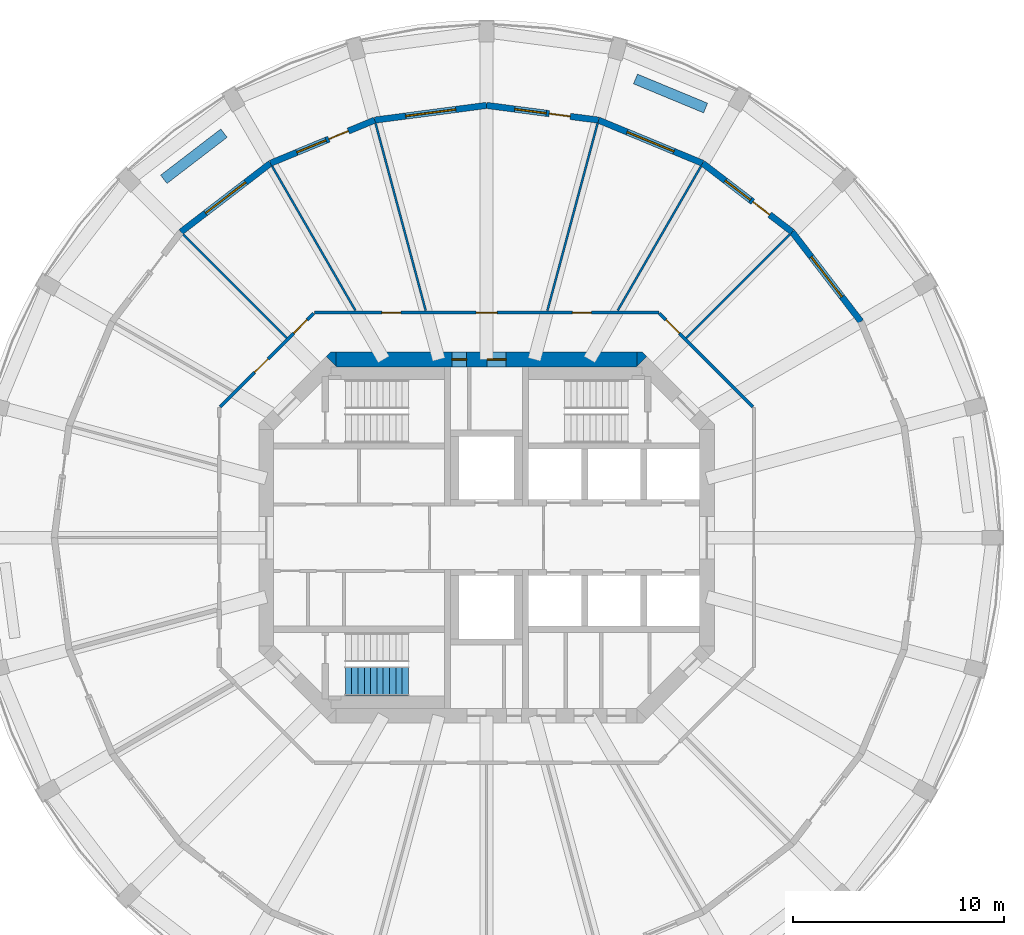
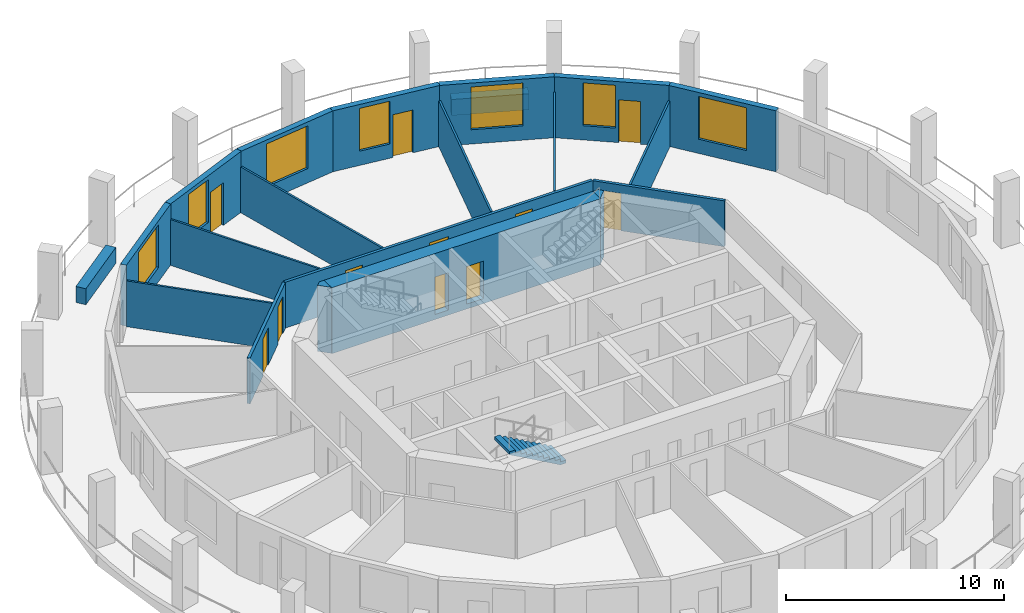
# One storey, part 6 of 9: 21 walls, 11 doors, 7 windows, 1 stair flight, 18 openings, 1 element without a shape of its own.
"""IFC4 building model written with IfcOpenShell, lengths in metres."""

from ifc_helpers import new_model, si_unit, direction, frame, frame_2d, origin, place, context, subcontext, project, spatial, polyline, rectangle, outline, extrude, material, layer, layer_set, type_object, element, fill, aggregate, save


model = new_model("IFC4")

# Units and contexts
model_context = context("Model", 3, precision=1e-05, world=origin(), true_north=direction((0.0, 1.0)))
body_context = subcontext(model_context, "Body", "Model", "MODEL_VIEW")
ifc_project = project(units=[si_unit("LENGTHUNIT", "METRE"), si_unit("AREAUNIT", "SQUARE_METRE"), si_unit("VOLUMEUNIT", "CUBIC_METRE"), si_unit("PLANEANGLEUNIT", "RADIAN"), si_unit("MASSUNIT", "GRAM", prefix="KILO")], contexts=[model_context])

# Site, building, storey
site_placement = place(None, origin())
site = spatial("IfcSite", under=ifc_project, at=site_placement, CompositionType="ELEMENT")
building_placement = place(site_placement, origin())
building = spatial("IfcBuilding", under=site, at=building_placement, Name="Torre Triforio", CompositionType="ELEMENT")
storey_placement = place(building_placement, frame((0.0, 0.0, 240.89990234375)))
storey = spatial("IfcBuildingStorey", under=building, at=storey_placement, Name="L55", CompositionType="ELEMENT", Elevation=240.89990234375)

# Wall, openings, doors
ifc_material_1 = material(Name="Concrete C50", Category="concrete")
ifc_layer_1 = layer(ifc_material_1, 0.699951171875)
ifc_layer_set_1 = layer_set([ifc_layer_1], Name="Concrete C50")
wall_type_1 = type_object("IfcWallType", Name="Core wall 700 mm C50 EI 120", PredefinedType="SHEAR", material=ifc_layer_set_1)
wall_1_placement = place(storey_placement, frame((-7.1298828125, 8.449951171875, -0.27978515625), z_axis=(0.0, 0.0, 1.0), x_axis=(1.0, 0.0, 0.0)))
wall_1 = element("IfcWall", 1, at=wall_1_placement, inside=storey, type_object=wall_type_1, Name="Core wall", PredefinedType="SHEAR", context=body_context, shape_type="SweptSolid", body=[
    extrude(rectangle(XDim=14.259765625, YDim=0.699951171875, at=frame_2d((7.1298828125, 0.0))), origin(), (0.0, 0.0, 1.0), 3.699951171875),
])
opening_1_placement = place(wall_1_placement, frame((5.47998046875, 0.0, 0.280029296875)))
opening_1 = element("IfcOpeningElement", 2, at=opening_1_placement, cuts=wall_1, Name="Opening RISER-N", PredefinedType="OPENING", context=body_context, shape_type="SweptSolid", body=[
    extrude(rectangle(XDim=0.699951171875, YDim=2.10009765625, at=frame_2d((0.35009765625, 1.050048828125))), frame((0.0, 0.35986328125, 0.0), z_axis=(0.0, -1.0, 0.0), x_axis=(1.0, 0.0, 0.0)), (0.0, 0.0, 1.0), 0.719970703125),
])
opening_2_placement = place(wall_1_placement, frame((7.155029296875, 0.0, 0.280029296875)))
opening_2 = element("IfcOpeningElement", 3, at=opening_2_placement, cuts=wall_1, Name="Opening NE-01", PredefinedType="OPENING", context=body_context, shape_type="SweptSolid", body=[
    extrude(rectangle(XDim=0.89990234375, YDim=2.10009765625, at=frame_2d((0.449951171875, 1.050048828125))), frame((0.0, 0.35986328125, 0.0), z_axis=(0.0, -1.0, 0.0), x_axis=(1.0, 0.0, 0.0)), (0.0, 0.0, 1.0), 0.719970703125),
])
ifc_material_2 = material(Name="Hollow metal fire door leaf")
door_type_1 = type_object("IfcDoorType", Name="Riser door 700 x 2100 EI 60", OperationType="NOTDEFINED", PredefinedType="DOOR", material=ifc_material_2)
door_1_placement = place(opening_1_placement, origin())
door_1 = element("IfcDoor", 4, at=door_1_placement, inside=storey, type_object=door_type_1, Name="Core door RISER-N", OperationType="SINGLE_SWING_LEFT", OverallHeight=2.10009765625, OverallWidth=0.699951171875, PredefinedType="DOOR", context=body_context, shape_type="SweptSolid", body=[
    extrude(rectangle(XDim=0.699951171875, YDim=2.10009765625, at=frame_2d((0.35009765625, 1.050048828125))), frame((0.0, 0.02490234375, 0.0), z_axis=(0.0, -1.0, 0.0), x_axis=(1.0, 0.0, 0.0)), (0.0, 0.0, 1.0), 0.050048828125),
])
fill(opening_1, door_1)
door_type_2 = type_object("IfcDoorType", Name="Room door 900 x 2100 EI 60", OperationType="NOTDEFINED", PredefinedType="DOOR", material=ifc_material_2)
door_2_placement = place(opening_2_placement, origin())
door_2 = element("IfcDoor", 5, at=door_2_placement, inside=storey, type_object=door_type_2, Name="Core door NE-01", OperationType="SINGLE_SWING_RIGHT", OverallHeight=2.10009765625, OverallWidth=0.89990234375, PredefinedType="DOOR", context=body_context, shape_type="SweptSolid", body=[
    extrude(rectangle(XDim=0.89990234375, YDim=2.10009765625, at=frame_2d((0.449951171875, 1.050048828125))), frame((0.0, 0.02490234375, 0.0), z_axis=(0.0, -1.0, 0.0), x_axis=(1.0, 0.0, 0.0)), (0.0, 0.0, 1.0), 0.050048828125),
])
fill(opening_2, door_2)

# Walls
wall_2_placement = place(storey_placement, frame((0.0, 0.0, -0.27978515625)))
element("IfcWall", 6, at=wall_2_placement, inside=storey, type_object=wall_type_1, Name="Core wall", PredefinedType="SHEAR", context=body_context, shape_type="SweptSolid", body=[
    extrude(outline(polyline([(-7.389892578125, 8.800048828125), (-7.1298828125, 8.800048828125), (-7.1298828125, 8.800048828125), (-7.1298828125, 8.1298828125), (-7.594970703125, 8.594970703125), (-7.594970703125, 8.594970703125), (-7.594970703125, 8.594970703125), (-7.389892578125, 8.800048828125)])), origin(), (0.0, 0.0, 1.0), 3.699951171875),
])
wall_3_placement = place(storey_placement, frame((0.0, 0.0, -0.27978515625)))
element("IfcWall", 7, at=wall_3_placement, inside=storey, type_object=wall_type_1, Name="Core wall", PredefinedType="SHEAR", context=body_context, shape_type="SweptSolid", body=[
    extrude(outline(polyline([(7.389892578125, 8.800048828125), (7.594970703125, 8.594970703125), (7.594970703125, 8.594970703125), (7.594970703125, 8.594970703125), (7.1298828125, 8.1298828125), (7.1298828125, 8.800048828125), (7.1298828125, 8.800048828125), (7.389892578125, 8.800048828125)])), origin(), (0.0, 0.0, 1.0), 3.699951171875),
])

# Wall, openings, doors
ifc_material_3 = material(Name="Plasterboard on metal studs")
ifc_layer_2 = layer(ifc_material_3, 0.14990234375)
ifc_layer_set_2 = layer_set([ifc_layer_2], Name="Plasterboard on metal studs")
wall_type_2 = type_object("IfcWallType", Name="Corridor and tenancy wall 150 mm EI 60", PredefinedType="PARTITIONING", material=ifc_layer_set_2)
wall_4_placement = place(storey_placement, frame((-12.637939453125, 6.20361328125, 0.0), z_axis=(0.0, 0.0, 1.0), x_axis=(0.707106781187, 0.707106781187, 0.0)))
wall_4 = element("IfcWall", 8, at=wall_4_placement, inside=storey, type_object=wall_type_2, Name="Partition 7", PredefinedType="PARTITIONING", context=body_context, shape_type="SweptSolid", body=[
    extrude(rectangle(XDim=6.27099609375, YDim=0.14990234375, at=frame_2d((3.135498046875, 0.0))), origin(), (0.0, 0.0, 1.0), 2.570068359375),
])
opening_3_placement = place(wall_4_placement, frame((4.935302734375, 0.0, 0.0)))
opening_3 = element("IfcOpeningElement", 9, at=opening_3_placement, cuts=wall_4, Name="Opening O8-11", PredefinedType="OPENING", context=body_context, shape_type="SweptSolid", body=[
    extrude(rectangle(XDim=0.89990234375, YDim=2.10009765625, at=frame_2d((0.449951171875, 1.050048828125))), frame((0.0, 0.0849609375, 0.0), z_axis=(0.0, -1.0, 0.0), x_axis=(1.0, 0.0, 0.0)), (0.0, 0.0, 1.0), 0.169921875),
])
opening_4_placement = place(wall_4_placement, frame((2.313720703125, 0.0, 0.0)))
opening_4 = element("IfcOpeningElement", 10, at=opening_4_placement, cuts=wall_4, Name="Opening O8-12", PredefinedType="OPENING", context=body_context, shape_type="SweptSolid", body=[
    extrude(rectangle(XDim=0.89990234375, YDim=2.10009765625, at=frame_2d((0.449951171875, 1.050048828125))), frame((0.0, 0.0849609375, 0.0), z_axis=(0.0, -1.0, 0.0), x_axis=(1.0, 0.0, 0.0)), (0.0, 0.0, 1.0), 0.169921875),
])
ifc_material_4 = material(Name="Timber", Category="wood")
door_type_3 = type_object("IfcDoorType", Name="Door 900 x 2100 single leaf EI 30", OperationType="NOTDEFINED", PredefinedType="DOOR", material=ifc_material_4)
door_3_placement = place(opening_3_placement, origin())
door_3 = element("IfcDoor", 11, at=door_3_placement, inside=storey, type_object=door_type_3, Name="Door O8-11", OperationType="SINGLE_SWING_LEFT", OverallHeight=2.10009765625, OverallWidth=0.89990234375, PredefinedType="DOOR", context=body_context, shape_type="SweptSolid", body=[
    extrude(rectangle(XDim=0.89990234375, YDim=2.10009765625, at=frame_2d((0.449951171875, 1.050048828125))), frame((0.0, 0.02490234375, 0.0), z_axis=(0.0, -1.0, 0.0), x_axis=(1.0, 0.0, 0.0)), (0.0, 0.0, 1.0), 0.050048828125),
])
fill(opening_3, door_3)
door_4_placement = place(opening_4_placement, origin())
door_4 = element("IfcDoor", 12, at=door_4_placement, inside=storey, type_object=door_type_3, Name="Door O8-12", OperationType="SINGLE_SWING_LEFT", OverallHeight=2.10009765625, OverallWidth=0.89990234375, PredefinedType="DOOR", context=body_context, shape_type="SweptSolid", body=[
    extrude(rectangle(XDim=0.89990234375, YDim=2.10009765625, at=frame_2d((0.449951171875, 1.050048828125))), frame((0.0, 0.02490234375, 0.0), z_axis=(0.0, -1.0, 0.0), x_axis=(1.0, 0.0, 0.0)), (0.0, 0.0, 1.0), 0.050048828125),
])
fill(opening_4, door_4)

wall_5_placement = place(storey_placement, frame((-8.16650390625, 10.675048828125, 0.0), z_axis=(0.0, 0.0, 1.0), x_axis=(1.0, 0.0, 0.0)))
wall_5 = element("IfcWall", 13, at=wall_5_placement, inside=storey, type_object=wall_type_2, Name="Partition 8", PredefinedType="PARTITIONING", context=body_context, shape_type="SweptSolid", body=[
    extrude(rectangle(XDim=16.3330078125, YDim=0.14990234375, at=frame_2d((8.16650390625, 0.0))), origin(), (0.0, 0.0, 1.0), 2.570068359375),
])
opening_5_placement = place(wall_5_placement, frame((12.232421875, 0.0, 0.0)))
opening_5 = element("IfcOpeningElement", 14, at=opening_5_placement, cuts=wall_5, Name="Opening O8-08", PredefinedType="OPENING", context=body_context, shape_type="SweptSolid", body=[
    extrude(rectangle(XDim=0.89990234375, YDim=2.10009765625, at=frame_2d((0.449951171875, 1.050048828125))), frame((0.0, 0.0849609375, 0.0), z_axis=(0.0, -1.0, 0.0), x_axis=(1.0, 0.0, 0.0)), (0.0, 0.0, 1.0), 0.169921875),
])
opening_6_placement = place(wall_5_placement, frame((7.66650390625, 0.0, 0.0)))
opening_6 = element("IfcOpeningElement", 15, at=opening_6_placement, cuts=wall_5, Name="Opening O8-09", PredefinedType="OPENING", context=body_context, shape_type="SweptSolid", body=[
    extrude(rectangle(XDim=1.0, YDim=2.10009765625, at=frame_2d((0.5, 1.050048828125))), frame((0.0, 0.0849609375, 0.0), z_axis=(0.0, -1.0, 0.0), x_axis=(1.0, 0.0, 0.0)), (0.0, 0.0, 1.0), 0.169921875),
])
opening_7_placement = place(wall_5_placement, frame((3.200927734375, 0.0, 0.0)))
opening_7 = element("IfcOpeningElement", 16, at=opening_7_placement, cuts=wall_5, Name="Opening O8-10", PredefinedType="OPENING", context=body_context, shape_type="SweptSolid", body=[
    extrude(rectangle(XDim=0.89990234375, YDim=2.10009765625, at=frame_2d((0.449951171875, 1.050048828125))), frame((0.0, 0.0849609375, 0.0), z_axis=(0.0, -1.0, 0.0), x_axis=(1.0, 0.0, 0.0)), (0.0, 0.0, 1.0), 0.169921875),
])
door_type_4 = type_object("IfcDoorType", Name="Door 1000 x 2100 single leaf EI 30", OperationType="NOTDEFINED", PredefinedType="DOOR", material=ifc_material_4)
door_5_placement = place(opening_6_placement, origin())
door_5 = element("IfcDoor", 17, at=door_5_placement, inside=storey, type_object=door_type_4, Name="Door O8-09", OperationType="SINGLE_SWING_RIGHT", OverallHeight=2.10009765625, OverallWidth=1.0, PredefinedType="DOOR", context=body_context, shape_type="SweptSolid", body=[
    extrude(rectangle(XDim=1.0, YDim=2.10009765625, at=frame_2d((0.5, 1.050048828125))), frame((0.0, 0.02490234375, 0.0), z_axis=(0.0, -1.0, 0.0), x_axis=(1.0, 0.0, 0.0)), (0.0, 0.0, 1.0), 0.050048828125),
])
fill(opening_6, door_5)
door_6_placement = place(opening_5_placement, origin())
door_6 = element("IfcDoor", 18, at=door_6_placement, inside=storey, type_object=door_type_3, Name="Door O8-08", OperationType="SINGLE_SWING_RIGHT", OverallHeight=2.10009765625, OverallWidth=0.89990234375, PredefinedType="DOOR", context=body_context, shape_type="SweptSolid", body=[
    extrude(rectangle(XDim=0.89990234375, YDim=2.10009765625, at=frame_2d((0.449951171875, 1.050048828125))), frame((0.0, 0.02490234375, 0.0), z_axis=(0.0, -1.0, 0.0), x_axis=(1.0, 0.0, 0.0)), (0.0, 0.0, 1.0), 0.050048828125),
])
fill(opening_5, door_6)
door_7_placement = place(opening_7_placement, origin())
door_7 = element("IfcDoor", 19, at=door_7_placement, inside=storey, type_object=door_type_3, Name="Door O8-10", OperationType="SINGLE_SWING_LEFT", OverallHeight=2.10009765625, OverallWidth=0.89990234375, PredefinedType="DOOR", context=body_context, shape_type="SweptSolid", body=[
    extrude(rectangle(XDim=0.89990234375, YDim=2.10009765625, at=frame_2d((0.449951171875, 1.050048828125))), frame((0.0, 0.02490234375, 0.0), z_axis=(0.0, -1.0, 0.0), x_axis=(1.0, 0.0, 0.0)), (0.0, 0.0, 1.0), 0.050048828125),
])
fill(opening_7, door_7)

# Wall, opening, door
wall_6_placement = place(storey_placement, frame((8.20361328125, 10.637939453125, 0.0), z_axis=(0.0, 0.0, 1.0), x_axis=(0.707106781187, -0.707106781187, 0.0)))
wall_6 = element("IfcWall", 20, at=wall_6_placement, inside=storey, type_object=wall_type_2, Name="Partition 9", PredefinedType="PARTITIONING", context=body_context, shape_type="SweptSolid", body=[
    extrude(rectangle(XDim=6.27099609375, YDim=0.14990234375, at=frame_2d((3.135498046875, 0.0))), origin(), (0.0, 0.0, 1.0), 2.570068359375),
])
opening_8_placement = place(wall_6_placement, frame((0.435546875, 0.0, 0.0)))
opening_8 = element("IfcOpeningElement", 21, at=opening_8_placement, cuts=wall_6, Name="Opening O8-07", PredefinedType="OPENING", context=body_context, shape_type="SweptSolid", body=[
    extrude(rectangle(XDim=0.89990234375, YDim=2.10009765625, at=frame_2d((0.449951171875, 1.050048828125))), frame((0.0, 0.0849609375, 0.0), z_axis=(0.0, -1.0, 0.0), x_axis=(1.0, 0.0, 0.0)), (0.0, 0.0, 1.0), 0.169921875),
])
door_8_placement = place(opening_8_placement, origin())
door_8 = element("IfcDoor", 22, at=door_8_placement, inside=storey, type_object=door_type_3, Name="Door O8-07", OperationType="SINGLE_SWING_LEFT", OverallHeight=2.10009765625, OverallWidth=0.89990234375, PredefinedType="DOOR", context=body_context, shape_type="SweptSolid", body=[
    extrude(rectangle(XDim=0.89990234375, YDim=2.10009765625, at=frame_2d((0.449951171875, 1.050048828125))), frame((0.0, 0.02490234375, 0.0), z_axis=(0.0, -1.0, 0.0), x_axis=(1.0, 0.0, 0.0)), (0.0, 0.0, 1.0), 0.050048828125),
])
fill(opening_8, door_8)

# Walls
ifc_layer_3 = layer(ifc_material_3, 0.10009765625)
ifc_layer_set_3 = layer_set([ifc_layer_3], Name="Plasterboard on metal studs")
wall_type_3 = type_object("IfcWallType", Name="Partition 100 mm board on metal studs", PredefinedType="PARTITIONING", material=ifc_layer_set_3)
wall_7_placement = place(storey_placement, frame((9.473876953125, 9.473876953125, 0.0), z_axis=(0.0, 0.0, 1.0), x_axis=(0.707106781187, 0.707106781187, 0.0)))
element("IfcWall", 23, at=wall_7_placement, inside=storey, type_object=wall_type_3, Name="Partition 11", PredefinedType="PARTITIONING", context=body_context, shape_type="SweptSolid", body=[
    extrude(rectangle(XDim=6.9384765625, YDim=0.10009765625, at=frame_2d((3.46923828125, 0.0))), origin(), (0.0, 0.0, 1.0), 2.570068359375),
])
wall_8_placement = place(storey_placement, frame((6.220703125, 10.774658203125, 0.0), z_axis=(0.0, 0.0, 1.0), x_axis=(0.500016891966, 0.866015650984, 0.0)))
element("IfcWall", 24, at=wall_8_placement, inside=storey, type_object=wall_type_3, Name="Partition 12", PredefinedType="PARTITIONING", context=body_context, shape_type="SweptSolid", body=[
    extrude(rectangle(XDim=7.895263671875, YDim=0.10009765625, at=frame_2d((3.94775390625, 0.0))), origin(), (0.0, 0.0, 1.0), 2.570068359375),
])
for number, where, z_axis, x_axis, name in (
    (25, (2.88427734375, 10.764404296875, 0.0), (0.0, 0.0, 1.0), (0.258811310764, 0.965927898666, 0.0), "Partition 13"),
    (26, (-2.88427734375, 10.764404296875, 0.0), (0.0, 0.0, 1.0), (-0.258811310764, 0.965927898666, 0.0), "Partition 14"),
):
    element("IfcWall", number, at=place(storey_placement, frame(where, z_axis=z_axis, x_axis=x_axis)), inside=storey, type_object=wall_type_3, Name=name, PredefinedType="PARTITIONING", context=body_context, shape_type="SweptSolid", body=[
        extrude(rectangle(XDim=9.192626953125, YDim=0.10009765625, at=frame_2d((4.59619140625, 0.0))), origin(), (0.0, 0.0, 1.0), 2.570068359375),
    ])
wall_9_placement = place(storey_placement, frame((-6.220703125, 10.774658203125, 0.0), z_axis=(0.0, 0.0, 1.0), x_axis=(-0.500016891966, 0.866015650984, 0.0)))
element("IfcWall", 27, at=wall_9_placement, inside=storey, type_object=wall_type_3, Name="Partition 15", PredefinedType="PARTITIONING", context=body_context, shape_type="SweptSolid", body=[
    extrude(rectangle(XDim=7.895263671875, YDim=0.10009765625, at=frame_2d((3.94775390625, 0.0))), origin(), (0.0, 0.0, 1.0), 2.570068359375),
])
wall_10_placement = place(storey_placement, frame((-9.473876953125, 9.473876953125, 0.0), z_axis=(0.0, 0.0, 1.0), x_axis=(-0.707106781187, 0.707106781187, 0.0)))
element("IfcWall", 28, at=wall_10_placement, inside=storey, type_object=wall_type_3, Name="Partition 16", PredefinedType="PARTITIONING", context=body_context, shape_type="SweptSolid", body=[
    extrude(rectangle(XDim=6.9384765625, YDim=0.10009765625, at=frame_2d((3.46923828125, 0.0))), origin(), (0.0, 0.0, 1.0), 2.570068359375),
])
ifc_material_5 = material(Name="Limestone cladding", Category="masonry")
ifc_layer_4 = layer(ifc_material_5, 0.10009765625)
ifc_material_6 = material(Name="Concrete C40", Category="concrete")
ifc_layer_5 = layer(ifc_material_6, 0.39990234375)
ifc_layer_set_4 = layer_set([ifc_layer_4, ifc_layer_5], Name="Limestone cladding / Concrete C40")
wall_type_4 = type_object("IfcWallType", Name="Planter wall 500", PredefinedType="PARAPET", material=ifc_layer_set_4)
for number, where, z_axis, x_axis, name in (
    (29, (10.38818359375, 20.37548828125, 0.0), (0.0, 0.0, 1.0), (-0.923851510231, 0.38275107713, 0.0), "Planter L55 bay 05"),
    (30, (-12.45166015625, 19.18408203125, 0.0), (0.0, 0.0, 1.0), (-0.793384730612, -0.608720518162, 0.0), "Planter L55 bay 09"),
):
    element("IfcWall", number, at=place(storey_placement, frame(where, z_axis=z_axis, x_axis=x_axis)), inside=storey, type_object=wall_type_4, Name=name, PredefinedType="PARAPET", context=body_context, shape_type="SweptSolid", body=[
        extrude(rectangle(XDim=3.60009765625, YDim=0.5, at=frame_2d((1.800048828125, 0.0))), origin(), (0.0, 0.0, 1.0), 0.900146484375),
    ])

# Wall, opening, window
ifc_layer_6 = layer(ifc_material_5, 0.10009765625)
ifc_layer_7 = layer(ifc_material_6, 0.199951171875)
ifc_layer_set_5 = layer_set([ifc_layer_6, ifc_layer_7], Name="Limestone cladding / Concrete C40")
wall_type_5 = type_object("IfcWallType", Name="Stone-faced composite wall 300", PredefinedType="STANDARD", material=ifc_layer_set_5)
wall_11_placement = place(storey_placement, frame((17.75341796875, 10.25, 0.0), z_axis=(0.0, 0.0, 1.0), x_axis=(-0.60876670321, 0.793349293227, 0.0)))
wall_11 = element("IfcWall", 31, at=wall_11_placement, inside=storey, type_object=wall_type_5, Name="External wall L55 bay 03", PredefinedType="STANDARD", context=body_context, shape_type="SweptSolid", body=[
    extrude(rectangle(XDim=5.3515625, YDim=0.300048828125, at=frame_2d((2.67578125, 0.0))), origin(), (0.0, 0.0, 1.0), 3.420166015625),
])
opening_9_placement = place(wall_11_placement, frame((1.475830078125, 0.0, 0.800048828125)))
opening_9 = element("IfcOpeningElement", 32, at=opening_9_placement, cuts=wall_11, Name="Opening O8-W03", PredefinedType="OPENING", context=body_context, shape_type="SweptSolid", body=[
    extrude(rectangle(XDim=2.39990234375, YDim=2.39990234375, at=frame_2d((1.199951171875, 1.199951171875))), frame((0.0, 0.159912109375, 0.0), z_axis=(0.0, -1.0, 0.0), x_axis=(1.0, 0.0, 0.0)), (0.0, 0.0, 1.0), 0.320068359375),
])
ifc_material_7 = material(Name="Aluminium frame with clear double glazing", Category="aluminium")
window_type_1 = type_object("IfcWindowType", Name="Punched window 2400 x 2400", PartitioningType="DOUBLE_PANEL_VERTICAL", PredefinedType="WINDOW", material=ifc_material_7)
window_1_placement = place(opening_9_placement, origin())
window_1 = element("IfcWindow", 33, at=window_1_placement, inside=storey, type_object=window_type_1, Name="Window EWN4 L55 bay 03", OverallHeight=2.39990234375, OverallWidth=2.39990234375, PartitioningType="SINGLE_PANEL", PredefinedType="WINDOW", context=body_context, shape_type="SweptSolid", body=[
    extrude(rectangle(XDim=2.39990234375, YDim=2.39990234375, at=frame_2d((1.199951171875, 1.199951171875))), frame((0.0, 0.030029296875, 0.0), z_axis=(0.0, -1.0, 0.0), x_axis=(1.0, 0.0, 0.0)), (0.0, 0.0, 1.0), 0.06005859375),
])
fill(opening_9, window_1)

# Wall, openings, door, window
wall_12_placement = place(storey_placement, frame((14.49560546875, 14.49560546875, 0.0), z_axis=(0.0, 0.0, 1.0), x_axis=(-0.793349293227, 0.60876670321, 0.0)))
wall_12 = element("IfcWall", 34, at=wall_12_placement, inside=storey, type_object=wall_type_5, Name="External wall L55 bay 04", PredefinedType="STANDARD", context=body_context, shape_type="SweptSolid", body=[
    extrude(rectangle(XDim=5.3515625, YDim=0.300048828125, at=frame_2d((2.67578125, 0.0))), origin(), (0.0, 0.0, 1.0), 3.420166015625),
])
opening_10_placement = place(wall_12_placement, frame((1.350830078125, 0.0, 0.0)))
opening_10 = element("IfcOpeningElement", 35, at=opening_10_placement, cuts=wall_12, Name="Opening O8-D04", PredefinedType="OPENING", context=body_context, shape_type="SweptSolid", body=[
    extrude(rectangle(XDim=1.0, YDim=2.39990234375, at=frame_2d((0.5, 1.199951171875))), frame((0.0, 0.159912109375, 0.0), z_axis=(0.0, -1.0, 0.0), x_axis=(1.0, 0.0, 0.0)), (0.0, 0.0, 1.0), 0.320068359375),
])
opening_11_placement = place(wall_12_placement, frame((2.500732421875, 0.0, 0.800048828125)))
opening_11 = element("IfcOpeningElement", 36, at=opening_11_placement, cuts=wall_12, Name="Opening O8-W04A", PredefinedType="OPENING", context=body_context, shape_type="SweptSolid", body=[
    extrude(rectangle(XDim=1.5, YDim=2.39990234375, at=frame_2d((0.75, 1.199951171875))), frame((0.0, 0.159912109375, 0.0), z_axis=(0.0, -1.0, 0.0), x_axis=(1.0, 0.0, 0.0)), (0.0, 0.0, 1.0), 0.320068359375),
])
door_type_5 = type_object("IfcDoorType", Name="Loggia door 1000 x 2400", OperationType="NOTDEFINED", PredefinedType="DOOR", material=ifc_material_7)
door_9_placement = place(opening_10_placement, origin())
door_9 = element("IfcDoor", 37, at=door_9_placement, inside=storey, type_object=door_type_5, Name="Loggia door L55 bay 04", OperationType="SINGLE_SWING_LEFT", OverallHeight=2.39990234375, OverallWidth=1.0, PredefinedType="DOOR", context=body_context, shape_type="SweptSolid", body=[
    extrude(rectangle(XDim=1.0, YDim=2.39990234375, at=frame_2d((0.5, 1.199951171875))), frame((0.0, 0.02490234375, 0.0), z_axis=(0.0, -1.0, 0.0), x_axis=(1.0, 0.0, 0.0)), (0.0, 0.0, 1.0), 0.050048828125),
])
fill(opening_10, door_9)
window_type_2 = type_object("IfcWindowType", Name="Side window 1500 x 2400", PartitioningType="SINGLE_PANEL", PredefinedType="WINDOW", material=ifc_material_7)
window_2_placement = place(opening_11_placement, origin())
window_2 = element("IfcWindow", 38, at=window_2_placement, inside=storey, type_object=window_type_2, Name="Side window EWN14 L55 bay 04", OverallHeight=2.39990234375, OverallWidth=1.5, PartitioningType="SINGLE_PANEL", PredefinedType="WINDOW", context=body_context, shape_type="SweptSolid", body=[
    extrude(rectangle(XDim=1.5, YDim=2.39990234375, at=frame_2d((0.75, 1.199951171875))), frame((0.0, 0.030029296875, 0.0), z_axis=(0.0, -1.0, 0.0), x_axis=(1.0, 0.0, 0.0)), (0.0, 0.0, 1.0), 0.06005859375),
])
fill(opening_11, window_2)

# Wall, opening, window
wall_13_placement = place(storey_placement, frame((10.25, 17.75341796875, 0.0), z_axis=(0.0, 0.0, 1.0), x_axis=(-0.923867255172, 0.382713071139, 0.0)))
wall_13 = element("IfcWall", 39, at=wall_13_placement, inside=storey, type_object=wall_type_5, Name="External wall L55 bay 05", PredefinedType="STANDARD", context=body_context, shape_type="SweptSolid", body=[
    extrude(rectangle(XDim=5.3515625, YDim=0.300048828125, at=frame_2d((2.67578125, 0.0))), origin(), (0.0, 0.0, 1.0), 3.420166015625),
])
opening_12_placement = place(wall_13_placement, frame((1.475830078125, 0.0, 0.800048828125)))
opening_12 = element("IfcOpeningElement", 40, at=opening_12_placement, cuts=wall_13, Name="Opening O8-W05", PredefinedType="OPENING", context=body_context, shape_type="SweptSolid", body=[
    extrude(rectangle(XDim=2.39990234375, YDim=2.39990234375, at=frame_2d((1.199951171875, 1.199951171875))), frame((0.0, 0.159912109375, 0.0), z_axis=(0.0, -1.0, 0.0), x_axis=(1.0, 0.0, 0.0)), (0.0, 0.0, 1.0), 0.320068359375),
])
window_3_placement = place(opening_12_placement, origin())
window_3 = element("IfcWindow", 41, at=window_3_placement, inside=storey, type_object=window_type_1, Name="Window EWN4 L55 bay 05", OverallHeight=2.39990234375, OverallWidth=2.39990234375, PartitioningType="SINGLE_PANEL", PredefinedType="WINDOW", context=body_context, shape_type="SweptSolid", body=[
    extrude(rectangle(XDim=2.39990234375, YDim=2.39990234375, at=frame_2d((1.199951171875, 1.199951171875))), frame((0.0, 0.030029296875, 0.0), z_axis=(0.0, -1.0, 0.0), x_axis=(1.0, 0.0, 0.0)), (0.0, 0.0, 1.0), 0.06005859375),
])
fill(opening_12, window_3)

# Wall, openings, door, window
wall_14_placement = place(storey_placement, frame((5.305908203125, 19.801513671875, 0.0), z_axis=(0.0, 0.0, 1.0), x_axis=(-0.991446064069, 0.130517056518, 0.0)))
wall_14 = element("IfcWall", 42, at=wall_14_placement, inside=storey, type_object=wall_type_5, Name="External wall L55 bay 06", PredefinedType="STANDARD", context=body_context, shape_type="SweptSolid", body=[
    extrude(rectangle(XDim=5.351806640625, YDim=0.300048828125, at=frame_2d((2.67578125, 0.0))), origin(), (0.0, 0.0, 1.0), 3.420166015625),
])
opening_13_placement = place(wall_14_placement, frame((1.350830078125, 0.0, 0.0)))
opening_13 = element("IfcOpeningElement", 43, at=opening_13_placement, cuts=wall_14, Name="Opening O8-D06", PredefinedType="OPENING", context=body_context, shape_type="SweptSolid", body=[
    extrude(rectangle(XDim=1.0, YDim=2.39990234375, at=frame_2d((0.5, 1.199951171875))), frame((0.0, 0.159912109375, 0.0), z_axis=(0.0, -1.0, 0.0), x_axis=(1.0, 0.0, 0.0)), (0.0, 0.0, 1.0), 0.320068359375),
])
opening_14_placement = place(wall_14_placement, frame((2.500732421875, 0.0, 0.800048828125)))
opening_14 = element("IfcOpeningElement", 44, at=opening_14_placement, cuts=wall_14, Name="Opening O8-W06A", PredefinedType="OPENING", context=body_context, shape_type="SweptSolid", body=[
    extrude(rectangle(XDim=1.5, YDim=2.39990234375, at=frame_2d((0.75, 1.199951171875))), frame((0.0, 0.159912109375, 0.0), z_axis=(0.0, -1.0, 0.0), x_axis=(1.0, 0.0, 0.0)), (0.0, 0.0, 1.0), 0.320068359375),
])
door_10_placement = place(opening_13_placement, origin())
door_10 = element("IfcDoor", 45, at=door_10_placement, inside=storey, type_object=door_type_5, Name="Loggia door L55 bay 06", OperationType="SINGLE_SWING_LEFT", OverallHeight=2.39990234375, OverallWidth=1.0, PredefinedType="DOOR", context=body_context, shape_type="SweptSolid", body=[
    extrude(rectangle(XDim=1.0, YDim=2.39990234375, at=frame_2d((0.5, 1.199951171875))), frame((0.0, 0.02490234375, 0.0), z_axis=(0.0, -1.0, 0.0), x_axis=(1.0, 0.0, 0.0)), (0.0, 0.0, 1.0), 0.050048828125),
])
fill(opening_13, door_10)
window_4_placement = place(opening_14_placement, origin())
window_4 = element("IfcWindow", 46, at=window_4_placement, inside=storey, type_object=window_type_2, Name="Side window EWN14 L55 bay 06", OverallHeight=2.39990234375, OverallWidth=1.5, PartitioningType="SINGLE_PANEL", PredefinedType="WINDOW", context=body_context, shape_type="SweptSolid", body=[
    extrude(rectangle(XDim=1.5, YDim=2.39990234375, at=frame_2d((0.75, 1.199951171875))), frame((0.0, 0.030029296875, 0.0), z_axis=(0.0, -1.0, 0.0), x_axis=(1.0, 0.0, 0.0)), (0.0, 0.0, 1.0), 0.06005859375),
])
fill(opening_14, window_4)

# Wall, opening, window
wall_15_placement = place(storey_placement, frame((0.0, 20.5, 0.0), z_axis=(0.0, 0.0, 1.0), x_axis=(-0.991446064069, -0.130517056518, 0.0)))
wall_15 = element("IfcWall", 47, at=wall_15_placement, inside=storey, type_object=wall_type_5, Name="External wall L55 bay 07", PredefinedType="STANDARD", context=body_context, shape_type="SweptSolid", body=[
    extrude(rectangle(XDim=5.351806640625, YDim=0.300048828125, at=frame_2d((2.67578125, 0.0))), origin(), (0.0, 0.0, 1.0), 3.420166015625),
])
opening_15_placement = place(wall_15_placement, frame((1.475830078125, 0.0, 0.800048828125)))
opening_15 = element("IfcOpeningElement", 48, at=opening_15_placement, cuts=wall_15, Name="Opening O8-W07", PredefinedType="OPENING", context=body_context, shape_type="SweptSolid", body=[
    extrude(rectangle(XDim=2.39990234375, YDim=2.39990234375, at=frame_2d((1.199951171875, 1.199951171875))), frame((0.0, 0.159912109375, 0.0), z_axis=(0.0, -1.0, 0.0), x_axis=(1.0, 0.0, 0.0)), (0.0, 0.0, 1.0), 0.320068359375),
])
window_5_placement = place(opening_15_placement, origin())
window_5 = element("IfcWindow", 49, at=window_5_placement, inside=storey, type_object=window_type_1, Name="Window EWN4 L55 bay 07", OverallHeight=2.39990234375, OverallWidth=2.39990234375, PartitioningType="SINGLE_PANEL", PredefinedType="WINDOW", context=body_context, shape_type="SweptSolid", body=[
    extrude(rectangle(XDim=2.39990234375, YDim=2.39990234375, at=frame_2d((1.199951171875, 1.199951171875))), frame((0.0, 0.030029296875, 0.0), z_axis=(0.0, -1.0, 0.0), x_axis=(1.0, 0.0, 0.0)), (0.0, 0.0, 1.0), 0.06005859375),
])
fill(opening_15, window_5)

# Wall, openings, door, window
wall_16_placement = place(storey_placement, frame((-5.305908203125, 19.801513671875, 0.0), z_axis=(0.0, 0.0, 1.0), x_axis=(-0.923867255172, -0.382713071139, 0.0)))
wall_16 = element("IfcWall", 50, at=wall_16_placement, inside=storey, type_object=wall_type_5, Name="External wall L55 bay 08", PredefinedType="STANDARD", context=body_context, shape_type="SweptSolid", body=[
    extrude(rectangle(XDim=5.3515625, YDim=0.300048828125, at=frame_2d((2.67578125, 0.0))), origin(), (0.0, 0.0, 1.0), 3.420166015625),
])
opening_16_placement = place(wall_16_placement, frame((1.350830078125, 0.0, 0.0)))
opening_16 = element("IfcOpeningElement", 51, at=opening_16_placement, cuts=wall_16, Name="Opening O8-D08", PredefinedType="OPENING", context=body_context, shape_type="SweptSolid", body=[
    extrude(rectangle(XDim=1.0, YDim=2.39990234375, at=frame_2d((0.5, 1.199951171875))), frame((0.0, 0.159912109375, 0.0), z_axis=(0.0, -1.0, 0.0), x_axis=(1.0, 0.0, 0.0)), (0.0, 0.0, 1.0), 0.320068359375),
])
opening_17_placement = place(wall_16_placement, frame((2.500732421875, 0.0, 0.800048828125)))
opening_17 = element("IfcOpeningElement", 52, at=opening_17_placement, cuts=wall_16, Name="Opening O8-W08A", PredefinedType="OPENING", context=body_context, shape_type="SweptSolid", body=[
    extrude(rectangle(XDim=1.5, YDim=2.39990234375, at=frame_2d((0.75, 1.199951171875))), frame((0.0, 0.159912109375, 0.0), z_axis=(0.0, -1.0, 0.0), x_axis=(1.0, 0.0, 0.0)), (0.0, 0.0, 1.0), 0.320068359375),
])
door_11_placement = place(opening_16_placement, origin())
door_11 = element("IfcDoor", 53, at=door_11_placement, inside=storey, type_object=door_type_5, Name="Loggia door L55 bay 08", OperationType="SINGLE_SWING_LEFT", OverallHeight=2.39990234375, OverallWidth=1.0, PredefinedType="DOOR", context=body_context, shape_type="SweptSolid", body=[
    extrude(rectangle(XDim=1.0, YDim=2.39990234375, at=frame_2d((0.5, 1.199951171875))), frame((0.0, 0.02490234375, 0.0), z_axis=(0.0, -1.0, 0.0), x_axis=(1.0, 0.0, 0.0)), (0.0, 0.0, 1.0), 0.050048828125),
])
fill(opening_16, door_11)
window_6_placement = place(opening_17_placement, origin())
window_6 = element("IfcWindow", 54, at=window_6_placement, inside=storey, type_object=window_type_2, Name="Side window EWN14 L55 bay 08", OverallHeight=2.39990234375, OverallWidth=1.5, PartitioningType="SINGLE_PANEL", PredefinedType="WINDOW", context=body_context, shape_type="SweptSolid", body=[
    extrude(rectangle(XDim=1.5, YDim=2.39990234375, at=frame_2d((0.75, 1.199951171875))), frame((0.0, 0.030029296875, 0.0), z_axis=(0.0, -1.0, 0.0), x_axis=(1.0, 0.0, 0.0)), (0.0, 0.0, 1.0), 0.06005859375),
])
fill(opening_17, window_6)

# Wall, opening, window
wall_17_placement = place(storey_placement, frame((-10.25, 17.75341796875, 0.0), z_axis=(0.0, 0.0, 1.0), x_axis=(-0.793349293227, -0.60876670321, 0.0)))
wall_17 = element("IfcWall", 55, at=wall_17_placement, inside=storey, type_object=wall_type_5, Name="External wall L55 bay 09", PredefinedType="STANDARD", context=body_context, shape_type="SweptSolid", body=[
    extrude(rectangle(XDim=5.3515625, YDim=0.300048828125, at=frame_2d((2.67578125, 0.0))), origin(), (0.0, 0.0, 1.0), 3.420166015625),
])
opening_18_placement = place(wall_17_placement, frame((1.475830078125, 0.0, 0.800048828125)))
opening_18 = element("IfcOpeningElement", 56, at=opening_18_placement, cuts=wall_17, Name="Opening O8-W09", PredefinedType="OPENING", context=body_context, shape_type="SweptSolid", body=[
    extrude(rectangle(XDim=2.39990234375, YDim=2.39990234375, at=frame_2d((1.199951171875, 1.199951171875))), frame((0.0, 0.159912109375, 0.0), z_axis=(0.0, -1.0, 0.0), x_axis=(1.0, 0.0, 0.0)), (0.0, 0.0, 1.0), 0.320068359375),
])
window_7_placement = place(opening_18_placement, origin())
window_7 = element("IfcWindow", 57, at=window_7_placement, inside=storey, type_object=window_type_1, Name="Window EWN4 L55 bay 09", OverallHeight=2.39990234375, OverallWidth=2.39990234375, PartitioningType="SINGLE_PANEL", PredefinedType="WINDOW", context=body_context, shape_type="SweptSolid", body=[
    extrude(rectangle(XDim=2.39990234375, YDim=2.39990234375, at=frame_2d((1.199951171875, 1.199951171875))), frame((0.0, 0.030029296875, 0.0), z_axis=(0.0, -1.0, 0.0), x_axis=(1.0, 0.0, 0.0)), (0.0, 0.0, 1.0), 0.06005859375),
])
fill(opening_18, window_7)

# Stair, stair flight
stair_type = type_object("IfcStairType", Name="STAIR HALF-TURN", PredefinedType="HALF_TURN_STAIR", material=ifc_material_6)
stair_placement = place(storey_placement, origin())
stair = element("IfcStair", 58, at=stair_placement, inside=storey, type_object=stair_type, Name="Exit stair 3", PredefinedType="HALF_TURN_STAIR")
stair_flight_type = type_object("IfcStairFlightType", Name="STAIR FLIGHT 1400", PredefinedType="STRAIGHT", material=ifc_material_6)
stair_flight_placement = place(storey_placement, frame((-3.699951171875, -6.800048828125, 1.85009765625), z_axis=(0.0, 0.0, 1.0), x_axis=(-1.0, 0.0, 0.0)))
stair_flight = element("IfcStairFlight", 59, at=stair_flight_placement, type_object=stair_flight_type, Name="ST3 flight 2", NumberOfRisers=11, NumberOfTreads=10, PredefinedType="STRAIGHT", RiserHeight=0.168181818, TreadLength=0.3, context=body_context, shape_type="SweptSolid", body=[
    extrude(outline(polyline([(0.0, 0.0), (0.0, 0.168212890625), (0.300048828125, 0.168212890625), (0.300048828125, 0.33642578125), (0.60009765625, 0.33642578125), (0.60009765625, 0.504638671875), (0.89990234375, 0.504638671875), (0.89990234375, 0.672607421875), (1.199951171875, 0.672607421875), (1.199951171875, 0.8408203125), (1.5, 0.8408203125), (1.5, 1.009033203125), (1.800048828125, 1.009033203125), (1.800048828125, 1.17724609375), (2.10009765625, 1.17724609375), (2.10009765625, 1.345458984375), (2.39990234375, 1.345458984375), (2.39990234375, 1.513671875), (2.699951171875, 1.513671875), (2.699951171875, 1.681884765625), (3.0, 1.681884765625), (3.0, 1.85009765625), (3.0, 1.510009765625), (0.306640625, 0.0), (0.0, 0.0)])), frame((0.0, 0.699951171875, 0.0), z_axis=(0.0, -1.0, 0.0), x_axis=(1.0, 0.0, 0.0)), (0.0, 0.0, 1.0), 1.39990234375),
])
aggregate(stair, [stair_flight])

save(model, "model.ifc")
